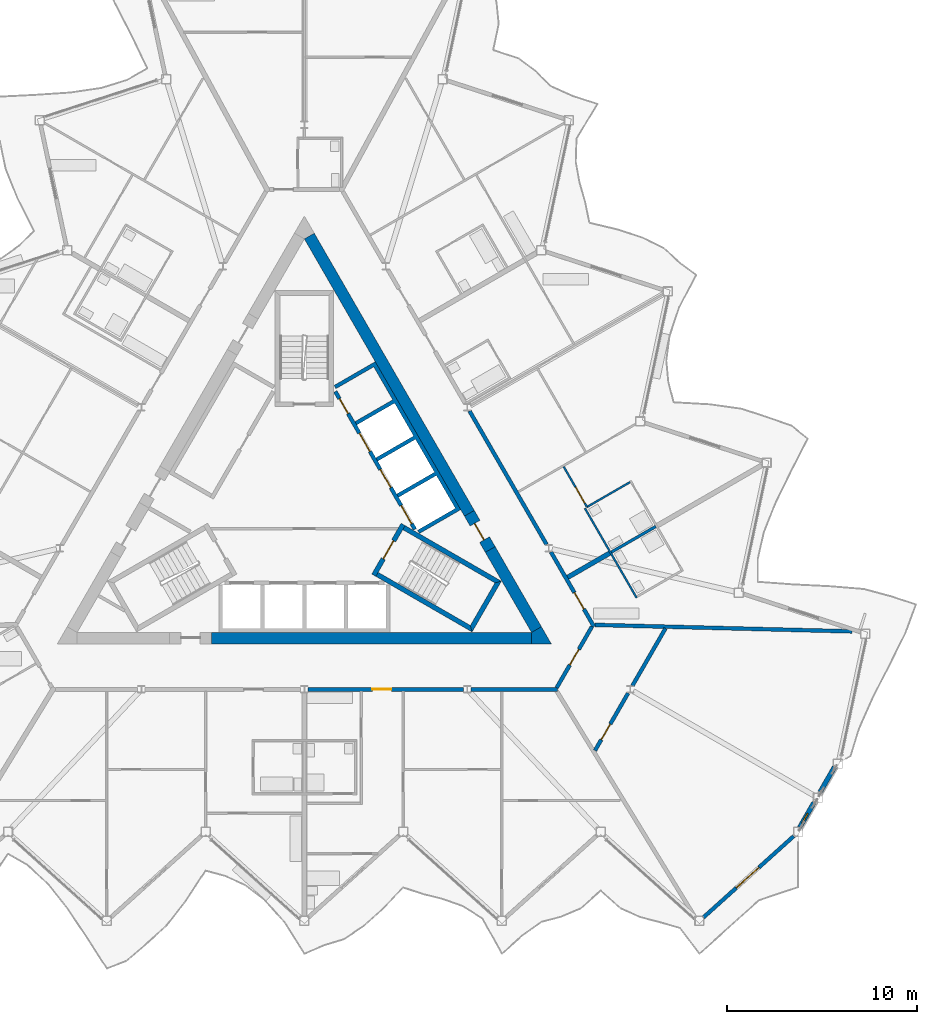
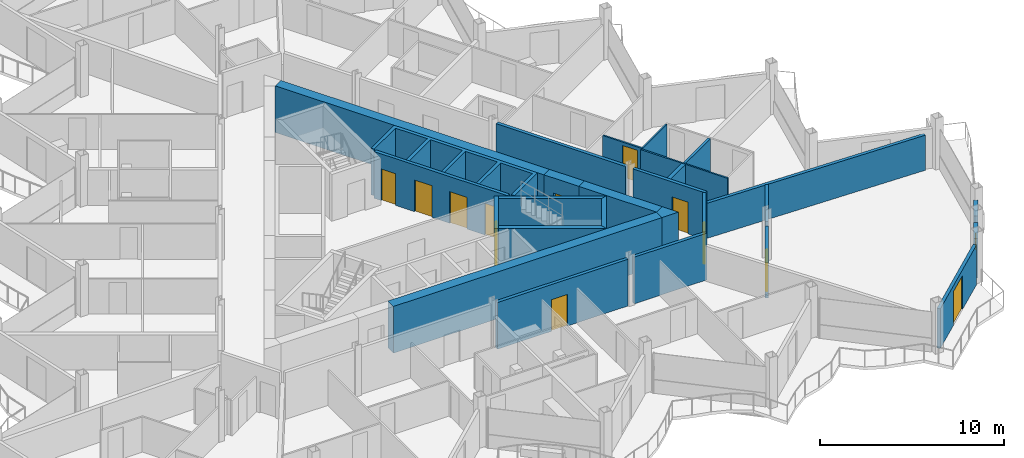
# One storey, part 15 of 26: 27 walls, 12 doors, 1 window, 13 openings.
"""IFC4 building model written with IfcOpenShell, lengths in metres."""

from ifc_helpers import new_model, si_unit, direction, frame, frame_2d, origin, place, context, subcontext, project, spatial, polyline, rectangle, outline, extrude, material, layer, layer_set, type_object, element, fill, save


model = new_model("IFC4")

# Units and contexts
model_context = context("Model", 3, precision=1e-05, world=origin(), true_north=direction((0.0, 1.0)))
body_context = subcontext(model_context, "Body", "Model", "MODEL_VIEW")
ifc_project = project(units=[si_unit("LENGTHUNIT", "METRE"), si_unit("AREAUNIT", "SQUARE_METRE"), si_unit("VOLUMEUNIT", "CUBIC_METRE"), si_unit("PLANEANGLEUNIT", "RADIAN"), si_unit("MASSUNIT", "GRAM", prefix="KILO")], contexts=[model_context])

# Site, building, storey
site_placement = place(None, origin())
site = spatial("IfcSite", under=ifc_project, at=site_placement, CompositionType="ELEMENT")
building_placement = place(site_placement, origin())
building = spatial("IfcBuilding", under=site, at=building_placement, Name="Cormorant Prow Tower", CompositionType="ELEMENT")
storey_placement = place(building_placement, frame((0.0, 0.0, 398.39990234375)))
storey = spatial("IfcBuildingStorey", under=building, at=storey_placement, Name="L91", CompositionType="ELEMENT", Elevation=398.39990234375)

# Walls
ifc_material_1 = material(Name="Concrete 8000 psi", Category="concrete")
ifc_layer_1 = layer(ifc_material_1, 0.60009765625)
ifc_layer_set_1 = layer_set([ifc_layer_1], Name="Concrete 8000 psi")
wall_type_1 = type_object("IfcWallType", Name="Core shear wall 600", PredefinedType="SHEAR", material=ifc_layer_set_1)
for number, where, z_axis, x_axis, name in (
    (1, (-4.89208984375, -7.20556640625, 0.0), (0.0, 0.0, 1.0), (1.0, 0.0, 0.0), "Core wall"),
    (2, (8.686279296875, -0.6337890625, 0.0), (0.0, 0.0, 1.0), (-0.500004601921, 0.866022746848, 0.0), "Core wall"),
):
    element("IfcWall", number, at=place(storey_placement, frame(where, z_axis=z_axis, x_axis=x_axis)), inside=storey, type_object=wall_type_1, Name=name, PredefinedType="SHEAR", context=body_context, shape_type="SweptSolid", body=[
        extrude(rectangle(XDim=16.852783203125, YDim=0.60009765625, at=frame_2d((8.42626953125, 0.0))), origin(), (0.0, 0.0, 1.0), 3.10009765625),
    ])
wall_1_placement = place(storey_placement, frame((12.220703125, -6.755615234375, 0.0), z_axis=(0.0, 0.0, 1.0), x_axis=(-0.50000604952, 0.866021911064, 0.0)))
element("IfcWall", 3, at=wall_1_placement, inside=storey, type_object=wall_type_1, Name="Core wall", PredefinedType="SHEAR", context=body_context, shape_type="SweptSolid", body=[
    extrude(rectangle(XDim=4.86865234375, YDim=0.60009765625, at=frame_2d((2.434326171875, 0.0))), origin(), (0.0, 0.0, 1.0), 3.10009765625),
])
wall_2_placement = place(storey_placement, origin())
element("IfcWall", 4, at=wall_2_placement, inside=storey, type_object=wall_type_1, Name="Core wall corner", PredefinedType="SHEAR", context=body_context, shape_type="SweptSolid", body=[
    extrude(outline(polyline([(11.960693359375, -7.505615234375), (11.960693359375, -6.905517578125), (12.48046875, -6.605712890625), (13.0, -7.505615234375), (11.960693359375, -7.505615234375)])), origin(), (0.0, 0.0, 1.0), 3.10009765625),
])

# Wall, opening, door
wall_3_placement = place(storey_placement, frame((9.786376953125, -2.539306640625, 0.0), z_axis=(0.0, 0.0, 1.0), x_axis=(-0.499981787252, 0.866035918664, 0.0)))
wall_3 = element("IfcWall", 5, at=wall_3_placement, inside=storey, type_object=wall_type_1, Name="Core wall door panel", PredefinedType="SHEAR", context=body_context, shape_type="SweptSolid", body=[
    extrude(rectangle(XDim=2.2001953125, YDim=0.60009765625, at=frame_2d((1.10009765625, 0.0))), origin(), (0.0, 0.0, 1.0), 3.10009765625),
])
opening_1_placement = place(wall_3_placement, frame((0.60009765625, 0.0, 0.0)))
opening_1 = element("IfcOpeningElement", 6, at=opening_1_placement, cuts=wall_3, Name="Opening L91-C15", PredefinedType="OPENING", context=body_context, shape_type="SweptSolid", body=[
    extrude(rectangle(XDim=1.0, YDim=2.10009765625, at=frame_2d((0.5, 1.050048828125))), frame((0.0, 0.31005859375, 0.0), z_axis=(0.0, -1.0, 0.0), x_axis=(1.0, 0.0, 0.0)), (0.0, 0.0, 1.0), 0.6201171875),
])
ifc_material_2 = material(Name="Painted steel", Category="steel")
door_type_1 = type_object("IfcDoorType", Name="Service door 1000x2100", OperationType="NOTDEFINED", PredefinedType="DOOR", material=ifc_material_2)
door_1_placement = place(opening_1_placement, origin())
door_1 = element("IfcDoor", 7, at=door_1_placement, inside=storey, type_object=door_type_1, Name="Core door, Electrical room", OperationType="SINGLE_SWING_LEFT", OverallHeight=2.10009765625, OverallWidth=1.0, PredefinedType="DOOR", context=body_context, shape_type="SweptSolid", body=[
    extrude(rectangle(XDim=1.0, YDim=2.10009765625, at=frame_2d((0.5, 1.050048828125))), frame((0.0, 0.05517578125, 0.0), z_axis=(0.0, -1.0, 0.0), x_axis=(1.0, 0.0, 0.0)), (0.0, 0.0, 1.0), 0.050048828125),
])
fill(opening_1, door_1)

ifc_material_3 = material(Name="Gypsum board corridor wall")
ifc_layer_2 = layer(ifc_material_3, 0.199951171875)
ifc_layer_set_2 = layer_set([ifc_layer_2], Name="Gypsum board corridor wall")
wall_type_2 = type_object("IfcWallType", Name="Corridor wall 200", PredefinedType="PARTITIONING", material=ifc_layer_set_2)
wall_4_placement = place(storey_placement, frame((0.197021484375, -9.905517578125, 0.0), z_axis=(0.0, 0.0, 1.0), x_axis=(1.0, 0.0, 0.0)))
wall_4 = element("IfcWall", 8, at=wall_4_placement, inside=storey, type_object=wall_type_2, Name="Corridor wall", PredefinedType="PARTITIONING", context=body_context, shape_type="SweptSolid", body=[
    extrude(rectangle(XDim=8.1845703125, YDim=0.199951171875, at=frame_2d((4.09228515625, 0.0))), origin(), (0.0, 0.0, 1.0), 3.10009765625),
])
opening_2_placement = place(wall_4_placement, frame((3.3896484375, 0.0, 0.0)))
opening_2 = element("IfcOpeningElement", 9, at=opening_2_placement, cuts=wall_4, Name="Opening L91-F08", PredefinedType="OPENING", context=body_context, shape_type="SweptSolid", body=[
    extrude(rectangle(XDim=1.0, YDim=2.10009765625, at=frame_2d((0.5, 1.050048828125))), frame((0.0, 0.10986328125, 0.0), z_axis=(0.0, -1.0, 0.0), x_axis=(1.0, 0.0, 0.0)), (0.0, 0.0, 1.0), 0.219970703125),
])
ifc_material_4 = material(Name="Timber door leaf", Category="wood")
door_type_2 = type_object("IfcDoorType", Name="Flat or room entrance door 1000x2100", OperationType="NOTDEFINED", PredefinedType="DOOR", material=ifc_material_4)
door_2_placement = place(opening_2_placement, origin())
door_2 = element("IfcDoor", 10, at=door_2_placement, inside=storey, type_object=door_type_2, Name="Living room door", OperationType="SINGLE_SWING_LEFT", OverallHeight=2.10009765625, OverallWidth=1.0, PredefinedType="DOOR", context=body_context, shape_type="SweptSolid", body=[
    extrude(rectangle(XDim=1.0, YDim=2.10009765625, at=frame_2d((0.5, 1.050048828125))), frame((0.0, 0.02490234375, 0.0), z_axis=(0.0, -1.0, 0.0), x_axis=(1.0, 0.0, 0.0)), (0.0, 0.0, 1.0), 0.050048828125),
])
fill(opening_2, door_2)

# Walls
wall_5_placement = place(storey_placement, frame((8.692138671875, 4.755859375, 0.0), z_axis=(0.0, 0.0, 1.0), x_axis=(0.500001682468, -0.866024432409, 0.0)))
element("IfcWall", 11, at=wall_5_placement, inside=storey, type_object=wall_type_2, Name="Corridor wall", PredefinedType="PARTITIONING", context=body_context, shape_type="SweptSolid", body=[
    extrude(rectangle(XDim=8.12353515625, YDim=0.199951171875, at=frame_2d((4.061767578125, 0.0))), origin(), (0.0, 0.0, 1.0), 3.10009765625),
])
wall_6_placement = place(storey_placement, frame((8.775390625, -9.905517578125, 0.0), z_axis=(0.0, 0.0, 1.0), x_axis=(1.0, 0.0, 0.0)))
element("IfcWall", 12, at=wall_6_placement, inside=storey, type_object=wall_type_2, Name="Corridor wall", PredefinedType="PARTITIONING", context=body_context, shape_type="SweptSolid", body=[
    extrude(rectangle(XDim=4.555419921875, YDim=0.199951171875, at=frame_2d((2.27783203125, 0.0))), origin(), (0.0, 0.0, 1.0), 3.10009765625),
])

# Wall, opening, door
wall_7_placement = place(storey_placement, frame((12.9814453125, -2.67333984375, 0.0), z_axis=(0.0, 0.0, 1.0), x_axis=(0.499974648164, -0.866040040179, 0.0)))
wall_7 = element("IfcWall", 13, at=wall_7_placement, inside=storey, type_object=wall_type_2, Name="Corridor wall", PredefinedType="PARTITIONING", context=body_context, shape_type="SweptSolid", body=[
    extrude(rectangle(XDim=4.525146484375, YDim=0.199951171875, at=frame_2d((2.2626953125, 0.0))), origin(), (0.0, 0.0, 1.0), 3.10009765625),
])
opening_3_placement = place(wall_7_placement, frame((2.46826171875, 0.0, 0.0)))
opening_3 = element("IfcOpeningElement", 14, at=opening_3_placement, cuts=wall_7, Name="Opening L91-F18", PredefinedType="OPENING", context=body_context, shape_type="SweptSolid", body=[
    extrude(rectangle(XDim=1.0, YDim=2.10009765625, at=frame_2d((0.5, 1.050048828125))), frame((0.0, 0.10986328125, 0.0), z_axis=(0.0, -1.0, 0.0), x_axis=(1.0, 0.0, 0.0)), (0.0, 0.0, 1.0), 0.219970703125),
])
door_3_placement = place(opening_3_placement, origin())
door_3 = element("IfcDoor", 15, at=door_3_placement, inside=storey, type_object=door_type_2, Name="Studio living, kitchen and sleeping room door", OperationType="SINGLE_SWING_LEFT", OverallHeight=2.10009765625, OverallWidth=1.0, PredefinedType="DOOR", context=body_context, shape_type="SweptSolid", body=[
    extrude(rectangle(XDim=1.0, YDim=2.10009765625, at=frame_2d((0.5, 1.050048828125))), frame((0.0, 0.02490234375, 0.0), z_axis=(0.0, -1.0, 0.0), x_axis=(1.0, 0.0, 0.0)), (0.0, 0.0, 1.0), 0.050048828125),
])
fill(opening_3, door_3)

wall_8_placement = place(storey_placement, frame((13.281005859375, -9.819091796875, 0.0), z_axis=(0.0, 0.0, 1.0), x_axis=(0.499958791762, 0.866049194065, 0.0)))
wall_8 = element("IfcWall", 16, at=wall_8_placement, inside=storey, type_object=wall_type_2, Name="Corridor wall", PredefinedType="PARTITIONING", context=body_context, shape_type="SweptSolid", body=[
    extrude(rectangle(XDim=3.725830078125, YDim=0.199951171875, at=frame_2d((1.86279296875, 0.0))), origin(), (0.0, 0.0, 1.0), 3.10009765625),
])
opening_4_placement = place(wall_8_placement, frame((1.387939453125, 0.0, 0.0)))
opening_4 = element("IfcOpeningElement", 17, at=opening_4_placement, cuts=wall_8, Name="Opening L91-F16", PredefinedType="OPENING", context=body_context, shape_type="SweptSolid", body=[
    extrude(rectangle(XDim=0.949951171875, YDim=2.10009765625, at=frame_2d((0.47509765625, 1.050048828125))), frame((0.0, 0.10986328125, 0.0), z_axis=(0.0, -1.0, 0.0), x_axis=(1.0, 0.0, 0.0)), (0.0, 0.0, 1.0), 0.219970703125),
])
ifc_material_5 = material(Name="Timber door leaf", Category="wood")
door_type_3 = type_object("IfcDoorType", Name="Store door 950x2100", OperationType="NOTDEFINED", PredefinedType="DOOR", material=ifc_material_5)
door_4_placement = place(opening_4_placement, origin())
door_4 = element("IfcDoor", 18, at=door_4_placement, inside=storey, type_object=door_type_3, Name="Refuse room door", OperationType="SINGLE_SWING_LEFT", OverallHeight=2.10009765625, OverallWidth=0.949951171875, PredefinedType="DOOR", context=body_context, shape_type="SweptSolid", body=[
    extrude(rectangle(XDim=0.949951171875, YDim=2.10009765625, at=frame_2d((0.47509765625, 1.050048828125))), frame((0.0, 0.02490234375, 0.0), z_axis=(0.0, -1.0, 0.0), x_axis=(1.0, 0.0, 0.0)), (0.0, 0.0, 1.0), 0.050048828125),
])
fill(opening_4, door_4)

# Wall
ifc_material_6 = material(Name="Gypsum board demising wall")
ifc_layer_3 = layer(ifc_material_6, 0.199951171875)
ifc_layer_set_3 = layer_set([ifc_layer_3], Name="Gypsum board demising wall")
wall_type_3 = type_object("IfcWallType", Name="Demising wall 200", PredefinedType="PARTITIONING", material=ifc_layer_set_3)
wall_9_placement = place(storey_placement, frame((15.293701171875, -6.508056640625, 0.0), z_axis=(0.0, 0.0, 1.0), x_axis=(0.999679467074, -0.02531724927, 0.0)))
element("IfcWall", 19, at=wall_9_placement, inside=storey, type_object=wall_type_3, Name="Demising wall", PredefinedType="PARTITIONING", context=body_context, shape_type="SweptSolid", body=[
    extrude(rectangle(XDim=13.529541015625, YDim=0.199951171875, at=frame_2d((6.7646484375, 0.0))), origin(), (0.0, 0.0, 1.0), 2.330078125),
])

# Wall, opening, door
wall_10_placement = place(storey_placement, frame((15.300537109375, -13.12109375, 0.0), z_axis=(0.0, 0.0, 1.0), x_axis=(0.499981154543, 0.866036283941, 0.0)))
wall_10 = element("IfcWall", 20, at=wall_10_placement, inside=storey, type_object=wall_type_3, Name="Demising wall", PredefinedType="PARTITIONING", context=body_context, shape_type="SweptSolid", body=[
    extrude(rectangle(XDim=3.485595703125, YDim=0.199951171875, at=frame_2d((1.74267578125, 0.0))), origin(), (0.0, 0.0, 1.0), 2.330078125),
])
opening_5_placement = place(wall_10_placement, frame((0.656982421875, 0.0, 0.0)))
opening_5 = element("IfcOpeningElement", 21, at=opening_5_placement, cuts=wall_10, Name="Opening L91-F17", PredefinedType="OPENING", context=body_context, shape_type="SweptSolid", body=[
    extrude(rectangle(XDim=0.949951171875, YDim=2.10009765625, at=frame_2d((0.47509765625, 1.050048828125))), frame((0.0, 0.10986328125, 0.0), z_axis=(0.0, -1.0, 0.0), x_axis=(1.0, 0.0, 0.0)), (0.0, 0.0, 1.0), 0.219970703125),
])
door_5_placement = place(opening_5_placement, origin())
door_5 = element("IfcDoor", 22, at=door_5_placement, inside=storey, type_object=door_type_3, Name="Bicycle store door", OperationType="SINGLE_SWING_LEFT", OverallHeight=2.10009765625, OverallWidth=0.949951171875, PredefinedType="DOOR", context=body_context, shape_type="SweptSolid", body=[
    extrude(rectangle(XDim=0.949951171875, YDim=2.10009765625, at=frame_2d((0.47509765625, 1.050048828125))), frame((0.0, 0.02490234375, 0.0), z_axis=(0.0, -1.0, 0.0), x_axis=(1.0, 0.0, 0.0)), (0.0, 0.0, 1.0), 0.050048828125),
])
fill(opening_5, door_5)

# Walls
wall_11_placement = place(storey_placement, frame((17.270751953125, -9.70849609375, 0.0), z_axis=(0.0, 0.0, 1.0), x_axis=(0.500011485685, 0.866018772419, 0.0)))
element("IfcWall", 23, at=wall_11_placement, inside=storey, type_object=wall_type_3, Name="Demising wall", PredefinedType="PARTITIONING", context=body_context, shape_type="SweptSolid", body=[
    extrude(rectangle(XDim=3.4853515625, YDim=0.199951171875, at=frame_2d((1.74267578125, 0.0))), origin(), (0.0, 0.0, 1.0), 2.330078125),
])
ifc_material_7 = material(Name="Gypsum board partition")
ifc_layer_4 = layer(ifc_material_7, 0.10009765625)
ifc_layer_set_4 = layer_set([ifc_layer_4], Name="Gypsum board partition")
wall_type_4 = type_object("IfcWallType", Name="Internal partition 100", PredefinedType="PARTITIONING", material=ifc_layer_set_4)
wall_12_placement = place(storey_placement, frame((14.7666015625, -0.365478515625, 0.0), z_axis=(0.0, 0.0, 1.0), x_axis=(0.500002931134, -0.866023711487, 0.0)))
element("IfcWall", 24, at=wall_12_placement, inside=storey, type_object=wall_type_4, Name="Internal partition", PredefinedType="PARTITIONING", context=body_context, shape_type="SweptSolid", body=[
    extrude(rectangle(XDim=5.4501953125, YDim=0.10009765625, at=frame_2d((2.72509765625, 0.0))), origin(), (0.0, 0.0, 1.0), 2.330078125),
])
wall_13_placement = place(storey_placement, frame((14.868408203125, -0.306884765625, 0.0), z_axis=(0.0, 0.0, 1.0), x_axis=(0.865997164422, 0.50004890882, 0.0)))
element("IfcWall", 25, at=wall_13_placement, inside=storey, type_object=wall_type_4, Name="Internal partition", PredefinedType="PARTITIONING", context=body_context, shape_type="SweptSolid", body=[
    extrude(rectangle(XDim=2.632568359375, YDim=0.10009765625, at=frame_2d((1.31640625, 0.0))), origin(), (0.0, 0.0, 1.0), 2.330078125),
])

# Wall, opening, door
wall_14_placement = place(storey_placement, frame((13.652099609375, 1.81982421875, 0.0), z_axis=(0.0, 0.0, 1.0), x_axis=(0.500018594424, -0.866014668023, 0.0)))
wall_14 = element("IfcWall", 26, at=wall_14_placement, inside=storey, type_object=wall_type_4, Name="Internal partition", PredefinedType="PARTITIONING", context=body_context, shape_type="SweptSolid", body=[
    extrude(rectangle(XDim=2.4501953125, YDim=0.10009765625, at=frame_2d((1.22509765625, 0.0))), origin(), (0.0, 0.0, 1.0), 2.330078125),
])
opening_6_placement = place(wall_14_placement, frame((1.25, 0.0, 0.0)))
opening_6 = element("IfcOpeningElement", 27, at=opening_6_placement, cuts=wall_14, Name="Opening L91-F26", PredefinedType="OPENING", context=body_context, shape_type="SweptSolid", body=[
    extrude(rectangle(XDim=0.949951171875, YDim=2.10009765625, at=frame_2d((0.47509765625, 1.050048828125))), frame((0.0, 0.06005859375, 0.0), z_axis=(0.0, -1.0, 0.0), x_axis=(1.0, 0.0, 0.0)), (0.0, 0.0, 1.0), 0.1201171875),
])
ifc_material_8 = material(Name="Timber door leaf", Category="wood")
door_type_4 = type_object("IfcDoorType", Name="Bathroom door 950x2100", OperationType="NOTDEFINED", PredefinedType="DOOR", material=ifc_material_8)
door_6_placement = place(opening_6_placement, origin())
door_6 = element("IfcDoor", 28, at=door_6_placement, inside=storey, type_object=door_type_4, Name="Bedroom door", OperationType="SINGLE_SWING_RIGHT", OverallHeight=2.10009765625, OverallWidth=0.949951171875, PredefinedType="DOOR", context=body_context, shape_type="SweptSolid", body=[
    extrude(rectangle(XDim=0.949951171875, YDim=2.10009765625, at=frame_2d((0.47509765625, 1.050048828125))), frame((0.0, 0.02490234375, 0.0), z_axis=(0.0, -1.0, 0.0), x_axis=(1.0, 0.0, 0.0)), (0.0, 0.0, 1.0), 0.050048828125),
])
fill(opening_6, door_6)

# Wall, openings, doors
ifc_material_9 = material(Name="Concrete 5000 psi", Category="concrete")
ifc_layer_5 = layer(ifc_material_9, 0.199951171875)
ifc_layer_set_5 = layer_set([ifc_layer_5], Name="Concrete 5000 psi")
wall_type_5 = type_object("IfcWallType", Name="Lift lobby wall 200", PredefinedType="SOLIDWALL", material=ifc_layer_set_5)
wall_15_placement = place(storey_placement, frame((5.817138671875, -1.4755859375, 0.0), z_axis=(0.0, 0.0, 1.0), x_axis=(-0.500002616675, 0.866023893041, 0.0)))
wall_15 = element("IfcWall", 29, at=wall_15_placement, inside=storey, type_object=wall_type_5, Name="Lift lobby wall, ENE block", PredefinedType="SOLIDWALL", context=body_context, shape_type="SweptSolid", body=[
    extrude(rectangle(XDim=8.373046875, YDim=0.199951171875, at=frame_2d((4.1865234375, 0.0))), origin(), (0.0, 0.0, 1.0), 3.10009765625),
])
opening_7_placement = place(wall_15_placement, frame((0.336669921875, 0.0, 0.0)))
opening_7 = element("IfcOpeningElement", 30, at=opening_7_placement, cuts=wall_15, Name="Opening L91-C05", PredefinedType="OPENING", context=body_context, shape_type="SweptSolid", body=[
    extrude(rectangle(XDim=1.10009765625, YDim=2.10009765625, at=frame_2d((0.550048828125, 1.050048828125))), frame((0.0, 0.10986328125, 0.0), z_axis=(0.0, -1.0, 0.0), x_axis=(1.0, 0.0, 0.0)), (0.0, 0.0, 1.0), 0.219970703125),
])
opening_8_placement = place(wall_15_placement, frame((2.53662109375, 0.0, 0.0)))
opening_8 = element("IfcOpeningElement", 31, at=opening_8_placement, cuts=wall_15, Name="Opening L91-C06", PredefinedType="OPENING", context=body_context, shape_type="SweptSolid", body=[
    extrude(rectangle(XDim=1.10009765625, YDim=2.10009765625, at=frame_2d((0.550048828125, 1.050048828125))), frame((0.0, 0.10986328125, 0.0), z_axis=(0.0, -1.0, 0.0), x_axis=(1.0, 0.0, 0.0)), (0.0, 0.0, 1.0), 0.219970703125),
])
opening_9_placement = place(wall_15_placement, frame((4.736572265625, 0.0, 0.0)))
opening_9 = element("IfcOpeningElement", 32, at=opening_9_placement, cuts=wall_15, Name="Opening L91-C07", PredefinedType="OPENING", context=body_context, shape_type="SweptSolid", body=[
    extrude(rectangle(XDim=1.10009765625, YDim=2.10009765625, at=frame_2d((0.550048828125, 1.050048828125))), frame((0.0, 0.10986328125, 0.0), z_axis=(0.0, -1.0, 0.0), x_axis=(1.0, 0.0, 0.0)), (0.0, 0.0, 1.0), 0.219970703125),
])
opening_10_placement = place(wall_15_placement, frame((7.03662109375, 0.0, 0.0)))
opening_10 = element("IfcOpeningElement", 33, at=opening_10_placement, cuts=wall_15, Name="Opening L91-C08", PredefinedType="OPENING", context=body_context, shape_type="SweptSolid", body=[
    extrude(rectangle(XDim=0.89990234375, YDim=2.10009765625, at=frame_2d((0.449951171875, 1.050048828125))), frame((0.0, 0.10986328125, 0.0), z_axis=(0.0, -1.0, 0.0), x_axis=(1.0, 0.0, 0.0)), (0.0, 0.0, 1.0), 0.219970703125),
])
ifc_material_10 = material(Name="Painted steel", Category="steel")
door_type_5 = type_object("IfcDoorType", Name="Lift landing door 1100x2100", OperationType="SLIDING_TO_LEFT", PredefinedType="DOOR", material=ifc_material_10)
door_7_placement = place(opening_7_placement, origin())
door_7 = element("IfcDoor", 34, at=door_7_placement, inside=storey, type_object=door_type_5, Name="Landing door HR2", OperationType="SLIDING_TO_LEFT", OverallHeight=2.10009765625, OverallWidth=1.10009765625, PredefinedType="DOOR", context=body_context, shape_type="SweptSolid", body=[
    extrude(rectangle(XDim=1.10009765625, YDim=2.10009765625, at=frame_2d((0.550048828125, 1.050048828125))), frame((0.0, 0.02490234375, 0.0), z_axis=(0.0, -1.0, 0.0), x_axis=(1.0, 0.0, 0.0)), (0.0, 0.0, 1.0), 0.050048828125),
])
fill(opening_7, door_7)
door_8_placement = place(opening_8_placement, origin())
door_8 = element("IfcDoor", 35, at=door_8_placement, inside=storey, type_object=door_type_5, Name="Landing door HR3", OperationType="SLIDING_TO_LEFT", OverallHeight=2.10009765625, OverallWidth=1.10009765625, PredefinedType="DOOR", context=body_context, shape_type="SweptSolid", body=[
    extrude(rectangle(XDim=1.10009765625, YDim=2.10009765625, at=frame_2d((0.550048828125, 1.050048828125))), frame((0.0, 0.02490234375, 0.0), z_axis=(0.0, -1.0, 0.0), x_axis=(1.0, 0.0, 0.0)), (0.0, 0.0, 1.0), 0.050048828125),
])
fill(opening_8, door_8)
door_9_placement = place(opening_9_placement, origin())
door_9 = element("IfcDoor", 36, at=door_9_placement, inside=storey, type_object=door_type_5, Name="Landing door HR4", OperationType="SLIDING_TO_LEFT", OverallHeight=2.10009765625, OverallWidth=1.10009765625, PredefinedType="DOOR", context=body_context, shape_type="SweptSolid", body=[
    extrude(rectangle(XDim=1.10009765625, YDim=2.10009765625, at=frame_2d((0.550048828125, 1.050048828125))), frame((0.0, 0.02490234375, 0.0), z_axis=(0.0, -1.0, 0.0), x_axis=(1.0, 0.0, 0.0)), (0.0, 0.0, 1.0), 0.050048828125),
])
fill(opening_9, door_9)
ifc_material_11 = material(Name="Painted steel", Category="steel")
door_type_6 = type_object("IfcDoorType", Name="Service door 900x2100", OperationType="NOTDEFINED", PredefinedType="DOOR", material=ifc_material_11)
door_10_placement = place(opening_10_placement, origin())
door_10 = element("IfcDoor", 37, at=door_10_placement, inside=storey, type_object=door_type_6, Name="Service door, Housekeeping store", OperationType="SINGLE_SWING_RIGHT", OverallHeight=2.10009765625, OverallWidth=0.89990234375, PredefinedType="DOOR", context=body_context, shape_type="SweptSolid", body=[
    extrude(rectangle(XDim=0.89990234375, YDim=2.10009765625, at=frame_2d((0.449951171875, 1.050048828125))), frame((0.0, 0.02490234375, 0.0), z_axis=(0.0, -1.0, 0.0), x_axis=(1.0, 0.0, 0.0)), (0.0, 0.0, 1.0), 0.050048828125),
])
fill(opening_10, door_10)

# Walls
ifc_material_12 = material(Name="Concrete 8000 psi", Category="concrete")
ifc_layer_6 = layer(ifc_material_12, 0.199951171875)
ifc_layer_set_6 = layer_set([ifc_layer_6], Name="Concrete 8000 psi")
wall_type_6 = type_object("IfcWallType", Name="Lift shaft wall 200", PredefinedType="SHEAR", material=ifc_layer_set_6)
wall_16_placement = place(storey_placement, origin())
element("IfcWall", 38, at=wall_16_placement, inside=storey, type_object=wall_type_6, Name="Lift shaft walls, ENE block", PredefinedType="SHEAR", context=body_context, shape_type="SweptSolid", body=[
    extrude(outline(polyline([(1.560546875, 6.09716796875), (3.730712890625, 7.35009765625), (8.230712890625, -0.444091796875), (6.060546875, -1.697021484375), (5.96044921875, -1.52392578125), (7.952392578125, -0.373779296875), (6.952392578125, 1.358154296875), (4.96044921875, 0.2080078125), (4.860595703125, 0.38134765625), (6.852294921875, 1.53125), (5.852294921875, 3.263427734375), (3.860595703125, 2.11328125), (3.760498046875, 2.28662109375), (5.75244140625, 3.4365234375), (4.75244140625, 5.168701171875), (2.760498046875, 4.018798828125), (2.660400390625, 4.19189453125), (4.65234375, 5.341796875), (3.65234375, 7.073974609375), (1.660400390625, 5.923828125), (1.560546875, 6.09716796875)])), origin(), (0.0, 0.0, 1.0), 3.10009765625),
])
ifc_material_13 = material(Name="Concrete 8000 psi", Category="concrete")
ifc_layer_7 = layer(ifc_material_13, 0.25)
ifc_layer_set_7 = layer_set([ifc_layer_7], Name="Concrete 8000 psi")
wall_type_7 = type_object("IfcWallType", Name="Stair wall 250", PredefinedType="SHEAR", material=ifc_layer_set_7)
wall_17_placement = place(storey_placement, origin())
element("IfcWall", 39, at=wall_17_placement, inside=storey, type_object=wall_type_7, Name="Stair ST2 enclosure wall (flank)", PredefinedType="SHEAR", context=body_context, shape_type="SweptSolid", body=[
    extrude(outline(polyline([(3.76318359375, -3.95556640625), (8.82958984375, -6.880615234375), (8.738037109375, -6.5390625), (3.88818359375, -3.739013671875), (3.76318359375, -3.95556640625)])), origin(), (0.0, 0.0, 1.0), 3.10009765625),
])
wall_18_placement = place(storey_placement, origin())
element("IfcWall", 40, at=wall_18_placement, inside=storey, type_object=wall_type_7, Name="Stair ST2 enclosure wall (end)", PredefinedType="SHEAR", context=body_context, shape_type="SweptSolid", body=[
    extrude(outline(polyline([(8.82958984375, -6.880615234375), (10.37353515625, -4.206298828125), (10.031982421875, -4.2978515625), (8.738037109375, -6.5390625), (8.82958984375, -6.880615234375)])), origin(), (0.0, 0.0, 1.0), 3.10009765625),
])
wall_19_placement = place(storey_placement, origin())
element("IfcWall", 41, at=wall_19_placement, inside=storey, type_object=wall_type_7, Name="Stair ST2 enclosure wall (flank)", PredefinedType="SHEAR", context=body_context, shape_type="SweptSolid", body=[
    extrude(outline(polyline([(10.031982421875, -4.2978515625), (10.37353515625, -4.206298828125), (5.30712890625, -1.28125), (5.18212890625, -1.497802734375), (10.031982421875, -4.2978515625)])), origin(), (0.0, 0.0, 1.0), 3.10009765625),
])

# Wall, opening, door
wall_20_placement = place(storey_placement, frame((3.655029296875, -3.89306640625, 0.0), z_axis=(0.0, 0.0, 1.0), x_axis=(0.499982516597, 0.866035497597, 0.0)))
wall_20 = element("IfcWall", 42, at=wall_20_placement, inside=storey, type_object=wall_type_7, Name="Stair ST2 door wall", PredefinedType="SHEAR", context=body_context, shape_type="SweptSolid", body=[
    extrude(rectangle(XDim=3.087890625, YDim=0.25, at=frame_2d((1.5439453125, 0.0))), origin(), (0.0, 0.0, 1.0), 3.10009765625),
])
opening_11_placement = place(wall_20_placement, frame((0.993896484375, 0.0, 0.0)))
opening_11 = element("IfcOpeningElement", 43, at=opening_11_placement, cuts=wall_20, Name="Opening L91-C12", PredefinedType="OPENING", context=body_context, shape_type="SweptSolid", body=[
    extrude(rectangle(XDim=1.10009765625, YDim=2.10009765625, at=frame_2d((0.550048828125, 1.050048828125))), frame((0.0, 0.135009765625, 0.0), z_axis=(0.0, -1.0, 0.0), x_axis=(1.0, 0.0, 0.0)), (0.0, 0.0, 1.0), 0.27001953125),
])
ifc_material_14 = material(Name="Painted steel", Category="steel")
door_type_7 = type_object("IfcDoorType", Name="Stair door 1100x2100", OperationType="NOTDEFINED", PredefinedType="DOOR", material=ifc_material_14)
door_11_placement = place(opening_11_placement, origin())
door_11 = element("IfcDoor", 44, at=door_11_placement, inside=storey, type_object=door_type_7, Name="Stair ST2 door", OperationType="SINGLE_SWING_RIGHT", OverallHeight=2.10009765625, OverallWidth=1.10009765625, PredefinedType="DOOR", context=body_context, shape_type="SweptSolid", body=[
    extrude(rectangle(XDim=1.10009765625, YDim=2.10009765625, at=frame_2d((0.550048828125, 1.050048828125))), frame((0.0, 0.02490234375, 0.0), z_axis=(0.0, -1.0, 0.0), x_axis=(1.0, 0.0, 0.0)), (0.0, 0.0, 1.0), 0.050048828125),
])
fill(opening_11, door_11)

# Wall
ifc_material_15 = material(Name="Acoustic gypsum party wall")
ifc_layer_8 = layer(ifc_material_15, 0.25)
ifc_layer_set_8 = layer_set([ifc_layer_8], Name="Acoustic gypsum party wall")
wall_type_8 = type_object("IfcWallType", Name="Suite party wall 250", PredefinedType="PARTITIONING", material=ifc_layer_set_8)
wall_21_placement = place(storey_placement, frame((13.864990234375, -4.00390625, 0.0), z_axis=(0.0, 0.0, 1.0), x_axis=(0.866054858364, 0.499948979701, 0.0)))
element("IfcWall", 45, at=wall_21_placement, inside=storey, type_object=wall_type_8, Name="Suite party wall", PredefinedType="PARTITIONING", context=body_context, shape_type="SweptSolid", body=[
    extrude(rectangle(XDim=2.550048828125, YDim=0.25, at=frame_2d((1.27490234375, 0.0))), origin(), (0.0, 0.0, 1.0), 2.330078125),
])

# Wall, opening, window
ifc_material_16 = material(Name="Terracotta", Category="masonry")
ifc_layer_9 = layer(ifc_material_16, 0.25)
ifc_layer_set_9 = layer_set([ifc_layer_9], Name="Terracotta")
wall_type_9 = type_object("IfcWallType", Name="Terracotta bay wall 250", PredefinedType="SOLIDWALL", material=ifc_layer_set_9)
wall_22_placement = place(storey_placement, frame((26.07470703125, -17.16943359375, 0.0), z_axis=(0.0, 0.0, 1.0), x_axis=(0.500048779063, 0.865997239347, 0.0)))
wall_22 = element("IfcWall", 46, at=wall_22_placement, inside=storey, type_object=wall_type_9, Name="Terracotta bay wall ESE00", PredefinedType="SOLIDWALL", context=body_context, shape_type="SweptSolid", body=[
    extrude(rectangle(XDim=1.510986328125, YDim=0.25, at=frame_2d((0.75537109375, 0.0))), origin(), (0.0, 0.0, 1.0), 2.634033203125),
])
opening_12_placement = place(wall_22_placement, frame((0.25, 0.0, 1.699951171875)))
opening_12 = element("IfcOpeningElement", 47, at=opening_12_placement, cuts=wall_22, Name="Opening WN11", PredefinedType="OPENING", context=body_context, shape_type="SweptSolid", body=[
    extrude(rectangle(XDim=0.60009765625, YDim=0.699951171875, at=frame_2d((0.300048828125, 0.35009765625))), frame((0.0, 0.135009765625, 0.0), z_axis=(0.0, -1.0, 0.0), x_axis=(1.0, 0.0, 0.0)), (0.0, 0.0, 1.0), 0.27001953125),
])
ifc_material_17 = material(Name="Aluminium 6063-T6", Category="aluminium")
window_type = type_object("IfcWindowType", Name="Corner bay window 600x700", PartitioningType="SINGLE_PANEL", PredefinedType="WINDOW", material=ifc_material_17)
window_placement = place(opening_12_placement, origin())
window = element("IfcWindow", 48, at=window_placement, inside=storey, type_object=window_type, Name="Corner bay window ESE00", OverallHeight=0.699951171875, OverallWidth=0.60009765625, PartitioningType="SINGLE_PANEL", PredefinedType="WINDOW", context=body_context, shape_type="SweptSolid", body=[
    extrude(rectangle(XDim=0.60009765625, YDim=0.699951171875, at=frame_2d((0.300048828125, 0.35009765625))), frame((0.0, 0.030029296875, 0.0), z_axis=(0.0, -1.0, 0.0), x_axis=(1.0, 0.0, 0.0)), (0.0, 0.0, 1.0), 0.06005859375),
])
fill(opening_12, window)

# Wall
wall_23_placement = place(storey_placement, frame((27.1484375, -15.309814453125, 0.0), z_axis=(0.0, 0.0, 1.0), x_axis=(0.499931517724, 0.866064938435, 0.0)))
element("IfcWall", 49, at=wall_23_placement, inside=storey, type_object=wall_type_9, Name="Terracotta bay wall ESE01", PredefinedType="SOLIDWALL", context=body_context, shape_type="SweptSolid", body=[
    extrude(rectangle(XDim=1.516357421875, YDim=0.25, at=frame_2d((0.75830078125, 0.0))), origin(), (0.0, 0.0, 1.0), 2.634033203125),
])

# Wall, opening, door
ifc_material_18 = material(Name="Terracotta", Category="masonry")
ifc_layer_10 = layer(ifc_material_18, 0.199951171875)
ifc_layer_set_10 = layer_set([ifc_layer_10], Name="Terracotta")
wall_type_10 = type_object("IfcWallType", Name="Terracotta jamb wall 200", PredefinedType="SOLIDWALL", material=ifc_layer_set_10)
wall_24_placement = place(storey_placement, frame((21.005126953125, -21.911865234375, 0.0), z_axis=(0.0, 0.0, 1.0), x_axis=(0.743132515916, 0.669144277259, 0.0)))
wall_24 = element("IfcWall", 50, at=wall_24_placement, inside=storey, type_object=wall_type_10, Name="Terracotta jamb wall S09", PredefinedType="SOLIDWALL", context=body_context, shape_type="SweptSolid", body=[
    extrude(rectangle(XDim=6.385009765625, YDim=0.199951171875, at=frame_2d((3.1923828125, 0.0))), origin(), (0.0, 0.0, 1.0), 2.634033203125),
])
opening_13_placement = place(wall_24_placement, frame((2.332763671875, 0.0, 0.0)))
opening_13 = element("IfcOpeningElement", 51, at=opening_13_placement, cuts=wall_24, Name="Opening ED91.05", PredefinedType="OPENING", context=body_context, shape_type="SweptSolid", body=[
    extrude(rectangle(XDim=1.60009765625, YDim=2.25, at=frame_2d((0.800048828125, 1.125))), frame((0.0, 0.10986328125, 0.0), z_axis=(0.0, -1.0, 0.0), x_axis=(1.0, 0.0, 0.0)), (0.0, 0.0, 1.0), 0.219970703125),
])
ifc_material_19 = material(Name="Aluminium 6063-T6", Category="aluminium")
door_type_8 = type_object("IfcDoorType", Name="Balcony door 1600x2250", OperationType="DOUBLE_DOOR_SINGLE_SWING", PredefinedType="DOOR", material=ifc_material_19)
door_12_placement = place(opening_13_placement, origin())
door_12 = element("IfcDoor", 52, at=door_12_placement, inside=storey, type_object=door_type_8, Name="Balcony door S09 ED91.05", OperationType="DOUBLE_DOOR_SINGLE_SWING", OverallHeight=2.25, OverallWidth=1.60009765625, PredefinedType="DOOR", context=body_context, shape_type="SweptSolid", body=[
    extrude(rectangle(XDim=1.60009765625, YDim=2.25, at=frame_2d((0.800048828125, 1.125))), frame((0.0, 0.02490234375, 0.0), z_axis=(0.0, -1.0, 0.0), x_axis=(1.0, 0.0, 0.0)), (0.0, 0.0, 1.0), 0.050048828125),
])
fill(opening_13, door_12)

# Wall
ifc_material_20 = material(Name="Plasterboard wet wall with pipe chase")
ifc_layer_11 = layer(ifc_material_20, 0.14990234375)
ifc_layer_set_11 = layer_set([ifc_layer_11], Name="Plasterboard wet wall with pipe chase")
wall_type_11 = type_object("IfcWallType", Name="Wet wall 150", PredefinedType="PLUMBINGWALL", material=ifc_layer_set_11)
wall_25_placement = place(storey_placement, frame((16.159912109375, -2.678955078125, 0.0), z_axis=(0.0, 0.0, 1.0), x_axis=(0.866019956843, 0.50000943426, 0.0)))
element("IfcWall", 53, at=wall_25_placement, inside=storey, type_object=wall_type_11, Name="Wet wall", PredefinedType="PLUMBINGWALL", context=body_context, shape_type="SweptSolid", body=[
    extrude(rectangle(XDim=2.7001953125, YDim=0.14990234375, at=frame_2d((1.35009765625, 0.0))), origin(), (0.0, 0.0, 1.0), 2.330078125),
])

save(model, "model.ifc")
